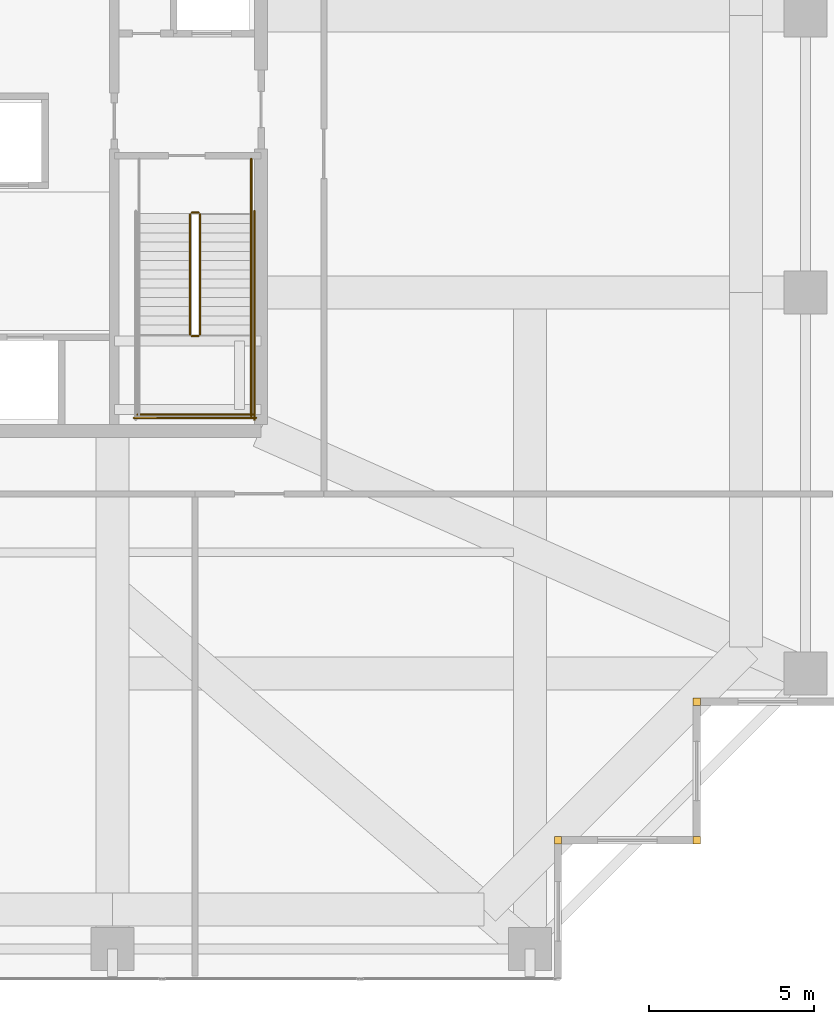
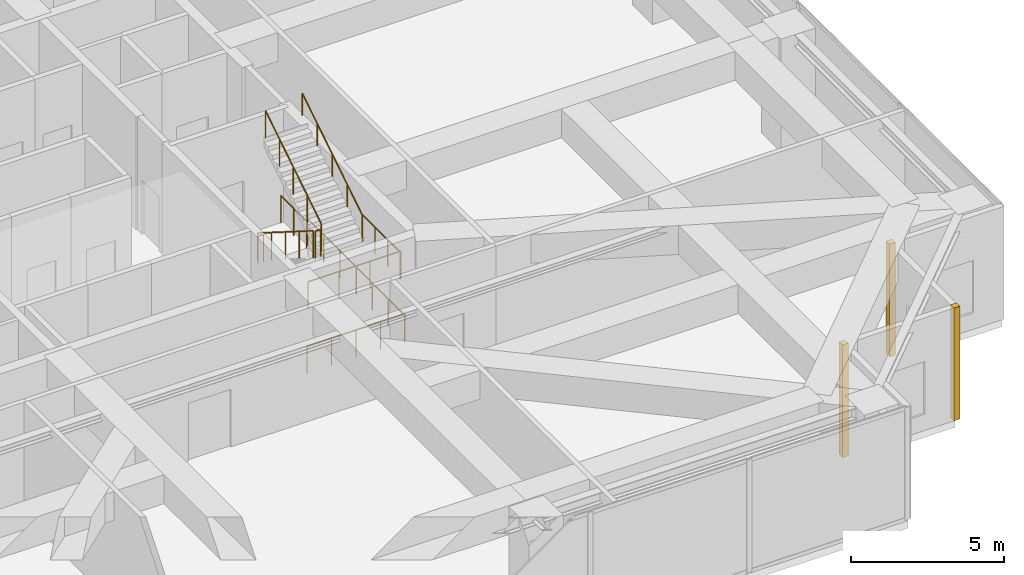
# One storey, part 34 of 35: 10 railings, 3 coverings.
"""IFC4 building model written with IfcOpenShell, lengths in metres."""

from ifc_helpers import new_model, si_unit, direction, frame, origin, origin_2d, place, context, subcontext, project, spatial, rectangle, circle, extrude, source, transform, mapped, material, layer, layer_set, type_object, element, save


model = new_model("IFC4")

# Units and contexts
model_context = context("Model", 3, precision=1e-05, world=origin(), true_north=direction((0.0, 1.0)))
body_context = subcontext(model_context, "Body", "Model", "MODEL_VIEW")
ifc_project = project(units=[si_unit("LENGTHUNIT", "METRE"), si_unit("AREAUNIT", "SQUARE_METRE"), si_unit("VOLUMEUNIT", "CUBIC_METRE"), si_unit("PLANEANGLEUNIT", "RADIAN"), si_unit("MASSUNIT", "GRAM", prefix="KILO")], contexts=[model_context])

# Site, building, storey
site_placement = place(None, origin())
site = spatial("IfcSite", under=ifc_project, at=site_placement, CompositionType="ELEMENT")
building_placement = place(site_placement, origin())
building = spatial("IfcBuilding", under=site, at=building_placement, Name="Serunith Strait Residences", CompositionType="ELEMENT")
storey_placement = place(building_placement, frame((0.0, 0.0, 115.199951171875)))
storey = spatial("IfcBuildingStorey", under=building, at=storey_placement, Name="L28", CompositionType="ELEMENT", Elevation=115.199951171875)

# Railings
ifc_material_1 = material(Name="Brushed stainless steel 316L", Category="steel")
railing_type_1 = type_object("IfcRailingType", Name="RLG-STAIR-GUARD", PredefinedType="BALUSTRADE", material=ifc_material_1)
railing_1_placement = place(storey_placement, frame((39.25, 23.3701171875, 0.1767578125)))
element("IfcRailing", 1, at=railing_1_placement, inside=storey, type_object=railing_type_1, Name="L28 ST-2 stair guard 1", PredefinedType="BALUSTRADE", context=body_context, shape_type="SweptSolid", body=[
    extrude(circle(Radius=0.02392578125, at=origin_2d()), frame((0.0, -0.001708984375, 1.0771484375), z_axis=(0.0, -0.845561664995, 0.533877767556), x_axis=(1.0, 0.0, 0.0)), (0.0, 0.0, 1.0), 4.301025390625),
    extrude(circle(Radius=0.02099609375, at=origin_2d()), origin(), (0.0, 0.0, 1.0), 1.050048828125),
    extrude(circle(Radius=0.02099609375, at=origin_2d()), frame((0.0, -0.91015625, 0.57470703125)), (0.0, 0.0, 1.0), 1.050048828125),
    extrude(circle(Radius=0.02099609375, at=origin_2d()), frame((0.0, -1.820068359375, 1.149169921875)), (0.0, 0.0, 1.0), 1.050048828125),
    extrude(circle(Radius=0.02099609375, at=origin_2d()), frame((0.0, -2.72998046875, 1.7236328125)), (0.0, 0.0, 1.0), 1.050048828125),
    extrude(circle(Radius=0.02099609375, at=origin_2d()), frame((0.0, -3.64013671875, 2.29833984375)), (0.0, 0.0, 1.0), 1.050048828125),
])
railing_2_placement = place(storey_placement, frame((39.300048828125, 19.679931640625, 2.47509765625)))
element("IfcRailing", 2, at=railing_2_placement, inside=storey, type_object=railing_type_1, Name="L28 ST-2 stair guard 2", PredefinedType="BALUSTRADE", context=body_context, shape_type="SweptSolid", body=[
    extrude(circle(Radius=0.02392578125, at=origin_2d()), frame((0.001953125, 0.0, 1.076171875), z_axis=(1.0, 0.0, 0.0), x_axis=(0.0, 1.0, 0.0)), (0.0, 0.0, 1.0), 0.196044921875),
    extrude(circle(Radius=0.02099609375, at=origin_2d()), origin(), (0.0, 0.0, 1.0), 1.050048828125),
    extrude(circle(Radius=0.02099609375, at=origin_2d()), frame((0.199951171875, 0.0, 0.0)), (0.0, 0.0, 1.0), 1.050048828125),
])
railing_3_placement = place(storey_placement, frame((41.10009765625, 19.72998046875, 2.47509765625)))
element("IfcRailing", 3, at=railing_3_placement, inside=storey, type_object=railing_type_1, Name="L28 ST-2 stair guard 4", PredefinedType="BALUSTRADE", context=body_context, shape_type="SweptSolid", body=[
    extrude(circle(Radius=0.02392578125, at=origin_2d()), frame((0.0, -0.001953125, 1.076171875), z_axis=(0.0, -1.0, 0.0), x_axis=(1.0, 0.0, 0.0)), (0.0, 0.0, 1.0), 2.47607421875),
    extrude(circle(Radius=0.02099609375, at=origin_2d()), origin(), (0.0, 0.0, 1.0), 1.050048828125),
    extrude(circle(Radius=0.02099609375, at=origin_2d()), frame((0.0, -0.82666015625, 0.0)), (0.0, 0.0, 1.0), 1.050048828125),
    extrude(circle(Radius=0.02099609375, at=origin_2d()), frame((0.0, -1.6533203125, 0.0)), (0.0, 0.0, 1.0), 1.050048828125),
    extrude(circle(Radius=0.02099609375, at=origin_2d()), frame((0.0, -2.47998046875, 0.0)), (0.0, 0.0, 1.0), 1.050048828125),
])
railing_4_placement = place(storey_placement, frame((37.64990234375, 17.300048828125, 2.47509765625)))
element("IfcRailing", 4, at=railing_4_placement, inside=storey, type_object=railing_type_1, Name="L28 ST-2 stair guard 5", PredefinedType="BALUSTRADE", context=body_context, shape_type="SweptSolid", body=[
    extrude(circle(Radius=0.02392578125, at=origin_2d()), frame((0.001953125, 0.0, 1.076171875), z_axis=(1.0, 0.0, 0.0), x_axis=(0.0, 1.0, 0.0)), (0.0, 0.0, 1.0), 3.49609375),
    extrude(circle(Radius=0.02099609375, at=origin_2d()), origin(), (0.0, 0.0, 1.0), 1.050048828125),
    extrude(circle(Radius=0.02099609375, at=origin_2d()), frame((1.166748046875, 0.0, 0.0)), (0.0, 0.0, 1.0), 1.050048828125),
    extrude(circle(Radius=0.02099609375, at=origin_2d()), frame((2.333251953125, 0.0, 0.0)), (0.0, 0.0, 1.0), 1.050048828125),
    extrude(circle(Radius=0.02099609375, at=origin_2d()), frame((3.5, 0.0, 0.0)), (0.0, 0.0, 1.0), 1.050048828125),
])
railing_5_placement = place(storey_placement, frame((39.550048828125, 19.72998046875, 2.65185546875)))
element("IfcRailing", 5, at=railing_5_placement, inside=storey, type_object=railing_type_1, Name="L28 ST-2 stair guard 6", PredefinedType="BALUSTRADE", context=body_context, shape_type="SweptSolid", body=[
    extrude(circle(Radius=0.02392578125, at=origin_2d()), frame((0.0, 0.001708984375, 1.0771484375), z_axis=(0.0, 0.84558726567, 0.533837218763), x_axis=(-1.0, 0.0, 0.0)), (0.0, 0.0, 1.0), 4.30078125),
    extrude(circle(Radius=0.02099609375, at=origin_2d()), origin(), (0.0, 0.0, 1.0), 1.050048828125),
    extrude(circle(Radius=0.02099609375, at=origin_2d()), frame((0.0, 0.91015625, 0.574462890625)), (0.0, 0.0, 1.0), 1.050048828125),
    extrude(circle(Radius=0.02099609375, at=origin_2d()), frame((0.0, 1.820068359375, 1.14892578125)), (0.0, 0.0, 1.0), 1.050048828125),
    extrude(circle(Radius=0.02099609375, at=origin_2d()), frame((0.0, 2.72998046875, 1.7236328125)), (0.0, 0.0, 1.0), 1.050048828125),
    extrude(circle(Radius=0.02099609375, at=origin_2d()), frame((0.0, 3.64013671875, 2.298095703125)), (0.0, 0.0, 1.0), 1.050048828125),
])
railing_6_placement = place(storey_placement, frame((39.300048828125, 23.419921875, 0.0)))
element("IfcRailing", 6, at=railing_6_placement, inside=storey, type_object=railing_type_1, Name="L28 ST-2 stair guard 7", PredefinedType="BALUSTRADE", context=body_context, shape_type="SweptSolid", body=[
    extrude(circle(Radius=0.02392578125, at=origin_2d()), frame((0.001953125, 0.0, 1.076171875), z_axis=(1.0, 0.0, 0.0), x_axis=(0.0, 1.0, 0.0)), (0.0, 0.0, 1.0), 0.196044921875),
    extrude(circle(Radius=0.02099609375, at=origin_2d()), origin(), (0.0, 0.0, 1.0), 1.050048828125),
    extrude(circle(Radius=0.02099609375, at=origin_2d()), frame((0.199951171875, 0.0, 0.0)), (0.0, 0.0, 1.0), 1.050048828125),
])
railing_7_placement = place(storey_placement, frame((41.10009765625, 25.050048828125, 0.0)))
element("IfcRailing", 7, at=railing_7_placement, inside=storey, type_object=railing_type_1, Name="L28 ST-2 stair guard 9", PredefinedType="BALUSTRADE", context=body_context, shape_type="SweptSolid", body=[
    extrude(circle(Radius=0.02392578125, at=origin_2d()), frame((0.0, -0.001953125, 1.076171875), z_axis=(0.0, -1.0, 0.0), x_axis=(1.0, 0.0, 0.0)), (0.0, 0.0, 1.0), 1.676025390625),
    extrude(circle(Radius=0.02099609375, at=origin_2d()), origin(), (0.0, 0.0, 1.0), 1.050048828125),
    extrude(circle(Radius=0.02099609375, at=origin_2d()), frame((0.0, -0.83984375, 0.0)), (0.0, 0.0, 1.0), 1.050048828125),
    extrude(circle(Radius=0.02099609375, at=origin_2d()), frame((0.0, -1.679931640625, 0.0)), (0.0, 0.0, 1.0), 1.050048828125),
])
railing_8_placement = place(storey_placement, frame((41.199951171875, 23.469970703125, 0.0)))
element("IfcRailing", 8, at=railing_8_placement, inside=storey, type_object=railing_type_1, Name="L28 ST-2 stair guard 11", PredefinedType="BALUSTRADE", context=body_context, shape_type="SweptSolid", body=[
    extrude(circle(Radius=0.02392578125, at=origin_2d()), frame((0.0, -0.001953125, 1.076171875), z_axis=(0.0, -1.0, 0.0), x_axis=(1.0, 0.0, 0.0)), (0.0, 0.0, 1.0), 6.316162109375),
    extrude(circle(Radius=0.02099609375, at=origin_2d()), origin(), (0.0, 0.0, 1.0), 1.050048828125),
    extrude(circle(Radius=0.02099609375, at=origin_2d()), frame((0.0, -1.05322265625, 0.0)), (0.0, 0.0, 1.0), 1.050048828125),
    extrude(circle(Radius=0.02099609375, at=origin_2d()), frame((0.0, -2.106689453125, 0.0)), (0.0, 0.0, 1.0), 1.050048828125),
    extrude(circle(Radius=0.02099609375, at=origin_2d()), frame((0.0, -3.16015625, 0.0)), (0.0, 0.0, 1.0), 1.050048828125),
    extrude(circle(Radius=0.02099609375, at=origin_2d()), frame((0.0, -4.21337890625, 0.0)), (0.0, 0.0, 1.0), 1.050048828125),
    extrude(circle(Radius=0.02099609375, at=origin_2d()), frame((0.0, -5.2666015625, 0.0)), (0.0, 0.0, 1.0), 1.050048828125),
    extrude(circle(Radius=0.02099609375, at=origin_2d()), frame((0.0, -6.320068359375, 0.0)), (0.0, 0.0, 1.0), 1.050048828125),
])
railing_9_placement = place(storey_placement, frame((37.550048828125, 17.199951171875, 0.0)))
element("IfcRailing", 9, at=railing_9_placement, inside=storey, type_object=railing_type_1, Name="L28 ST-2 stair guard 12", PredefinedType="BALUSTRADE", context=body_context, shape_type="SweptSolid", body=[
    extrude(circle(Radius=0.02392578125, at=origin_2d()), frame((0.001953125, 0.0, 1.076171875), z_axis=(1.0, 0.0, 0.0), x_axis=(0.0, 1.0, 0.0)), (0.0, 0.0, 1.0), 3.696044921875),
    extrude(circle(Radius=0.02099609375, at=origin_2d()), origin(), (0.0, 0.0, 1.0), 1.050048828125),
    extrude(circle(Radius=0.02099609375, at=origin_2d()), frame((0.925048828125, 0.0, 0.0)), (0.0, 0.0, 1.0), 1.050048828125),
    extrude(circle(Radius=0.02099609375, at=origin_2d()), frame((1.85009765625, 0.0, 0.0)), (0.0, 0.0, 1.0), 1.050048828125),
    extrude(circle(Radius=0.02099609375, at=origin_2d()), frame((2.77490234375, 0.0, 0.0)), (0.0, 0.0, 1.0), 1.050048828125),
    extrude(circle(Radius=0.02099609375, at=origin_2d()), frame((3.699951171875, 0.0, 0.0)), (0.0, 0.0, 1.0), 1.050048828125),
])
railing_type_2 = type_object("IfcRailingType", Name="RLG-STAIR-HR", PredefinedType="HANDRAIL", material=ifc_material_1)
railing_10_placement = place(storey_placement, frame((41.10009765625, 19.72998046875, 2.65185546875)))
element("IfcRailing", 10, at=railing_10_placement, inside=storey, type_object=railing_type_2, Name="L28 ST-2 stair handrail 2", PredefinedType="HANDRAIL", context=body_context, shape_type="SweptSolid", body=[
    extrude(circle(Radius=0.02392578125, at=origin_2d()), frame((0.0, 0.001708984375, 0.876953125), z_axis=(0.0, 0.845075924159, 0.534646315247), x_axis=(-1.0, 0.0, 0.0)), (0.0, 0.0, 1.0), 4.634521484375),
    extrude(circle(Radius=0.02099609375, at=origin_2d()), origin(), (0.0, 0.0, 1.0), 0.849853515625),
    extrude(circle(Radius=0.02099609375, at=origin_2d()), frame((0.0, 0.97998046875, 0.6201171875)), (0.0, 0.0, 1.0), 0.849853515625),
    extrude(circle(Radius=0.02099609375, at=origin_2d()), frame((0.0, 1.9599609375, 1.239990234375)), (0.0, 0.0, 1.0), 0.849853515625),
    extrude(circle(Radius=0.02099609375, at=origin_2d()), frame((0.0, 2.93994140625, 1.85986328125)), (0.0, 0.0, 1.0), 0.849853515625),
    extrude(circle(Radius=0.02099609375, at=origin_2d()), frame((0.0, 3.919921875, 2.47998046875)), (0.0, 0.0, 1.0), 0.849853515625),
])

# Coverings
ifc_material_2 = material(Name="Pale-Champagne Anodised Aluminium", Category="aluminium")
ifc_layer = layer(ifc_material_2, 0.219970703125, Name="Pale-Champagne Anodised Aluminium")
ifc_layer_set = layer_set([ifc_layer], Name="Pale-Champagne Anodised Aluminium")
covering_type = type_object("IfcCoveringType", Name="COV-CORN-TRIM", PredefinedType="CLADDING", material=ifc_layer_set)
shared_shape = source(origin(), body_context, "Body", "SweptSolid", [
    extrude(rectangle(XDim=0.221923828125, YDim=0.221923828125, at=origin_2d()), origin(), (0.0, 0.0, 1.0), 4.4951171875),
])
for number, where, z_axis, x_axis, name in (
    (11, (50.39990234375, 4.39990234375, 0.0), (0.0, 0.0, 1.0), (1.0, 0.0, 0.0), "L28 Girih Serrated Corner Trim Post 02"),
    (12, (54.60009765625, 4.39990234375, 0.0), (0.0, 0.0, 1.0), (1.0, 0.0, 0.0), "L28 Girih Serrated Corner Trim Post 03"),
    (13, (54.60009765625, 8.60009765625, 0.0), (0.0, 0.0, 1.0), (1.0, 0.0, 0.0), "L28 Girih Serrated Corner Trim Post 04"),
):
    element("IfcCovering", number, at=place(storey_placement, frame(where, z_axis=z_axis, x_axis=x_axis)), inside=storey, type_object=covering_type, Name=name, PredefinedType="CLADDING", context=body_context, shape_type="MappedRepresentation", body=[
        mapped(shared_shape, transform((0.0, 0.0, 0.0), scale=1.0)),
    ])

save(model, "model.ifc")
